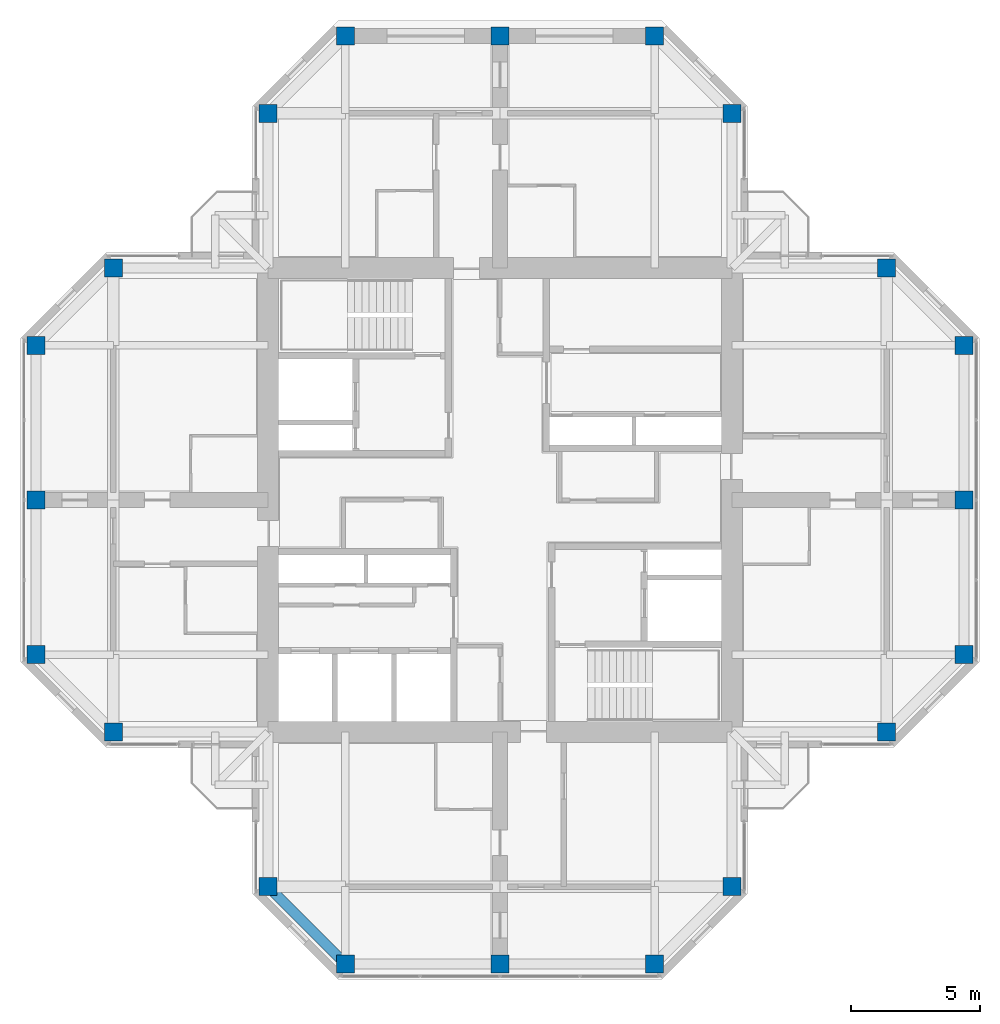
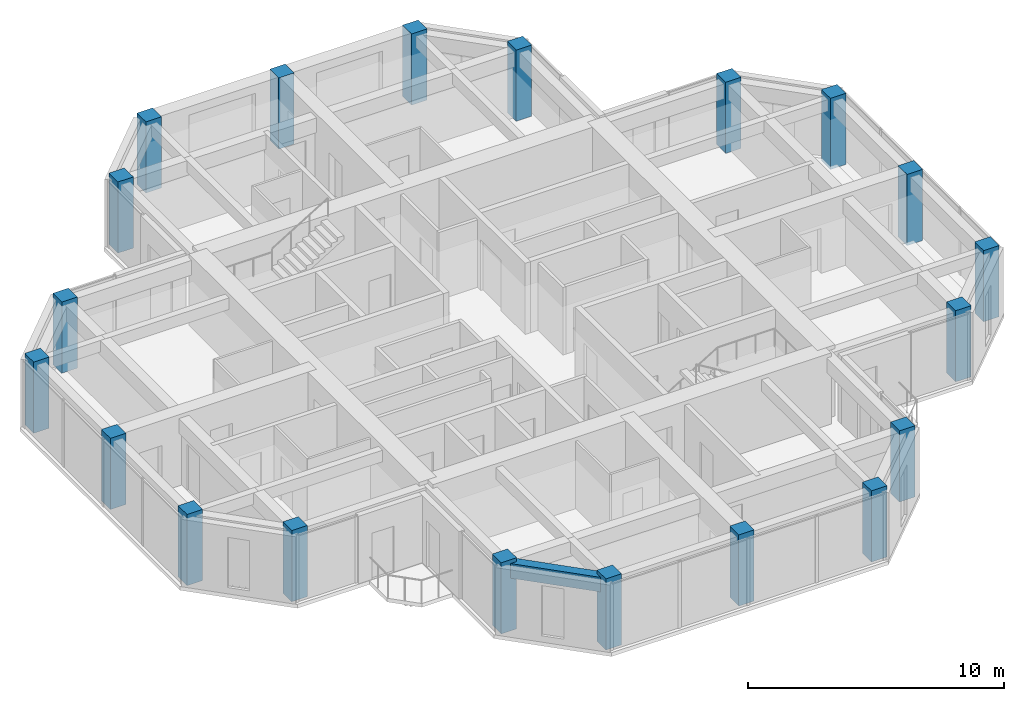
# One storey, part 1 of 13: 20 columns, 1 beam.
"""IFC4 building model written with IfcOpenShell, lengths in metres."""

from ifc_helpers import new_model, si_unit, direction, frame, origin, origin_2d, place, context, subcontext, project, spatial, rectangle, extrude, material, material_profile, profile_set, type_object, element, save


model = new_model("IFC4")

# Units and contexts
model_context = context("Model", 3, precision=1e-05, world=origin(), true_north=direction((0.0, 1.0)))
body_context = subcontext(model_context, "Body", "Model", "MODEL_VIEW")
ifc_project = project(units=[si_unit("LENGTHUNIT", "METRE"), si_unit("AREAUNIT", "SQUARE_METRE"), si_unit("VOLUMEUNIT", "CUBIC_METRE"), si_unit("PLANEANGLEUNIT", "RADIAN"), si_unit("MASSUNIT", "GRAM", prefix="KILO")], contexts=[model_context])

# Site, building, storey
site_placement = place(None, origin())
site = spatial("IfcSite", under=ifc_project, at=site_placement, CompositionType="ELEMENT")
building_placement = place(site_placement, origin())
building = spatial("IfcBuilding", under=site, at=building_placement, Name="Torre Cruceta", CompositionType="ELEMENT")
storey_placement = place(building_placement, frame((0.0, 0.0, 271.300048828125)))
storey = spatial("IfcBuildingStorey", under=building, at=storey_placement, Name="L70", CompositionType="ELEMENT", Elevation=271.300048828125)

# Columns
ifc_material_1 = material(Name="Concrete G60 (fck 60 MPa)", Category="concrete")
ifc_material_profile_1 = material_profile(ifc_material_1, rectangle(XDim=0.699951171875, YDim=0.699951171875, at=origin_2d()), Name="RC 700X700")
ifc_profile_set_1 = profile_set([ifc_material_profile_1], Name="Concrete G60 (fck 60 MPa)")
column_type = type_object("IfcColumnType", Name="COLUMN RC 700X700", PredefinedType="COLUMN", material=ifc_profile_set_1)
for number, where, z_axis, x_axis, name in (
    (1, (9.0, 15.0, 0.0), (0.0, 0.0, 1.0), (1.0, 0.0, 0.0), "C8 L70 N chamfer"),
    (2, (-9.0, 15.0, 0.0), (0.0, 0.0, 1.0), (1.0, 0.0, 0.0), "C8 L70 N chamfer"),
    (3, (6.0, 18.0, 0.0), (0.0, 0.0, 1.0), (1.0, 0.0, 0.0), "C8 L70 N tip"),
    (4, (0.0, 18.0, 0.0), (0.0, 0.0, 1.0), (1.0, 0.0, 0.0), "C8 L70 N tip"),
    (5, (-6.0, 18.0, 0.0), (0.0, 0.0, 1.0), (1.0, 0.0, 0.0), "C8 L70 N tip"),
    (6, (15.0, -9.0, 0.0), (0.0, 0.0, 1.0), (1.0, 0.0, 0.0), "C8 L70 E chamfer"),
    (7, (15.0, 9.0, 0.0), (0.0, 0.0, 1.0), (1.0, 0.0, 0.0), "C8 L70 E chamfer"),
    (8, (18.0, -6.0, 0.0), (0.0, 0.0, 1.0), (1.0, 0.0, 0.0), "C8 L70 E tip"),
    (9, (18.0, 0.0, 0.0), (0.0, 0.0, 1.0), (1.0, 0.0, 0.0), "C8 L70 E tip"),
    (10, (18.0, 6.0, 0.0), (0.0, 0.0, 1.0), (1.0, 0.0, 0.0), "C8 L70 E tip"),
    (11, (-9.0, -15.0, 0.0), (0.0, 0.0, 1.0), (1.0, 0.0, 0.0), "C8 L70 S chamfer"),
    (12, (9.0, -15.0, 0.0), (0.0, 0.0, 1.0), (1.0, 0.0, 0.0), "C8 L70 S chamfer"),
    (13, (-6.0, -18.0, 0.0), (0.0, 0.0, 1.0), (1.0, 0.0, 0.0), "C8 L70 S tip"),
    (14, (0.0, -18.0, 0.0), (0.0, 0.0, 1.0), (1.0, 0.0, 0.0), "C8 L70 S tip"),
    (15, (6.0, -18.0, 0.0), (0.0, 0.0, 1.0), (1.0, 0.0, 0.0), "C8 L70 S tip"),
    (16, (-15.0, 9.0, 0.0), (0.0, 0.0, 1.0), (1.0, 0.0, 0.0), "C8 L70 W chamfer"),
    (17, (-15.0, -9.0, 0.0), (0.0, 0.0, 1.0), (1.0, 0.0, 0.0), "C8 L70 W chamfer"),
    (18, (-18.0, 6.0, 0.0), (0.0, 0.0, 1.0), (1.0, 0.0, 0.0), "C8 L70 W tip"),
    (19, (-18.0, 0.0, 0.0), (0.0, 0.0, 1.0), (1.0, 0.0, 0.0), "C8 L70 W tip"),
    (20, (-18.0, -6.0, 0.0), (0.0, 0.0, 1.0), (1.0, 0.0, 0.0), "C8 L70 W tip"),
):
    element("IfcColumn", number, at=place(storey_placement, frame(where, z_axis=z_axis, x_axis=x_axis)), inside=storey, type_object=column_type, Name=name, PredefinedType="COLUMN", context=body_context, shape_type="SweptSolid", body=[
        extrude(rectangle(XDim=0.699951171875, YDim=0.699951171875, at=origin_2d()), origin(), (0.0, 0.0, 1.0), 3.39990234375),
    ])

# Beam
ifc_material_2 = material(Name="Concrete G60 (fck 60 MPa)", Category="concrete")
ifc_material_profile_2 = material_profile(ifc_material_2, rectangle(XDim=0.39990234375, YDim=0.699951171875, at=origin_2d()), Name="RC 400X700")
ifc_profile_set_2 = profile_set([ifc_material_profile_2], Name="Concrete G60 (fck 60 MPa)")
beam_type = type_object("IfcBeamType", Name="SPANDREL BEAM RC 400X700", PredefinedType="SPANDREL", material=ifc_profile_set_2)
beam_placement = place(storey_placement, frame((-9.0, -15.0, 2.869873046875), z_axis=(0.707106781187, -0.707106781187, 0.0), x_axis=(0.707106781187, 0.707106781187, 0.0)))
element("IfcBeam", 21, at=beam_placement, inside=storey, type_object=beam_type, Name="SB8 L70 S side- 2", PredefinedType="SPANDREL", context=body_context, shape_type="SweptSolid", body=[
    extrude(rectangle(XDim=0.39990234375, YDim=0.699951171875, at=origin_2d()), origin(), (0.0, 0.0, 1.0), 4.24267578125),
])

save(model, "model.ifc")
